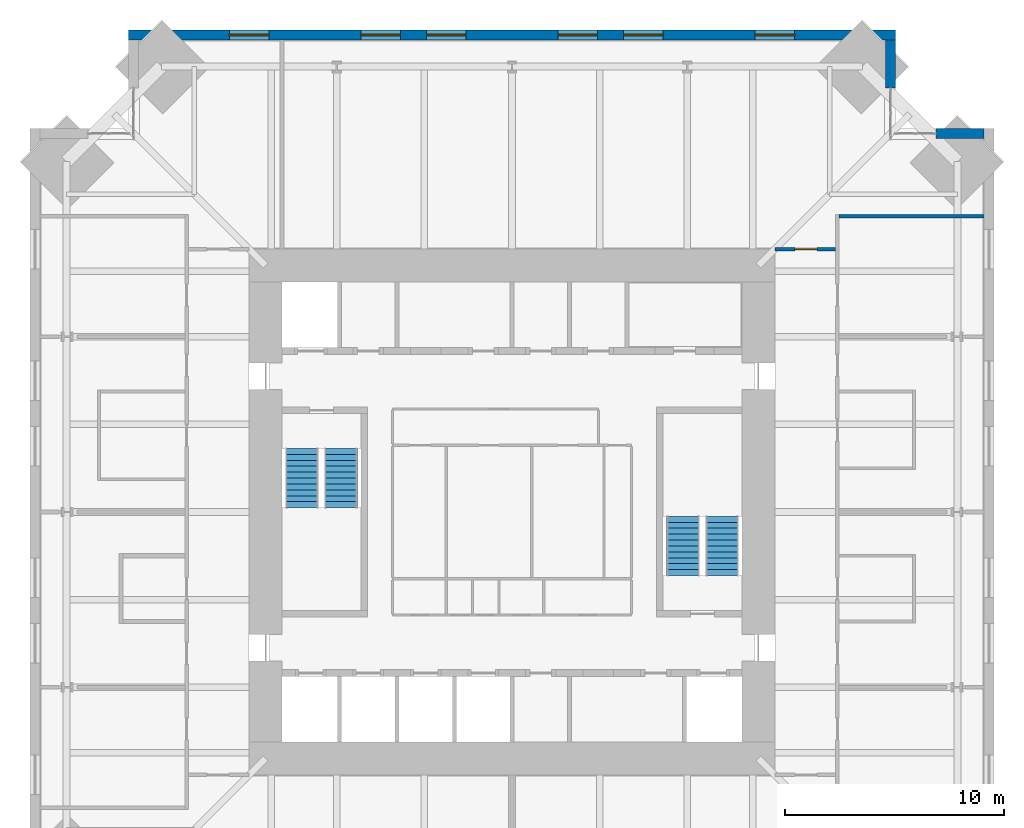
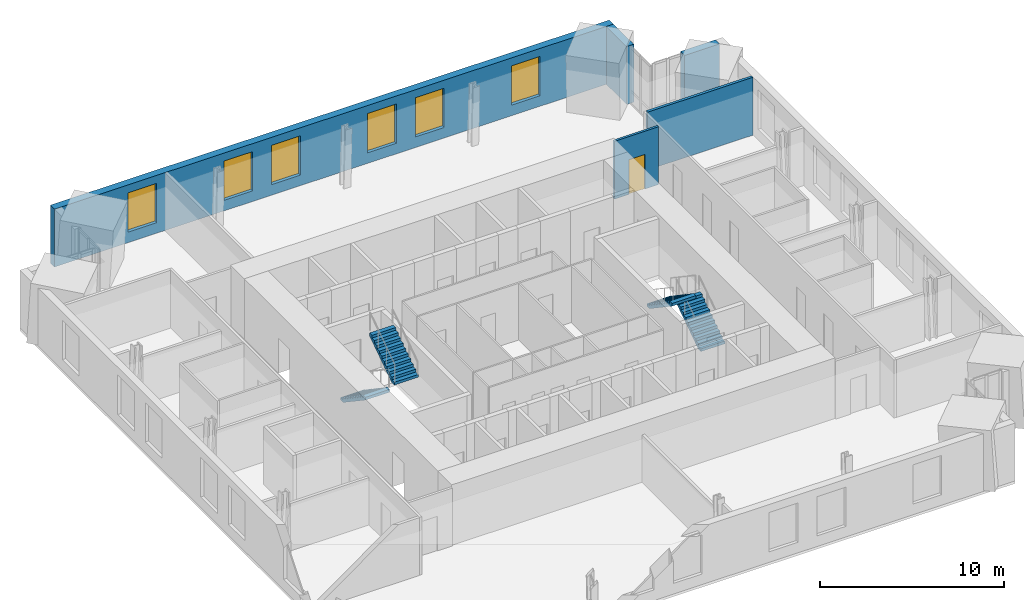
# One storey, part 15 of 16: 6 windows, 5 walls, 4 stair flights, 1 door, 7 openings, 2 elements without a shape of their own.
"""IFC4 building model written with IfcOpenShell, lengths in metres."""

from ifc_helpers import new_model, si_unit, direction, frame, frame_2d, origin, place, context, subcontext, project, spatial, polyline, rectangle, outline, extrude, material, layer, layer_set, type_object, element, fill, aggregate, save


model = new_model("IFC4")

# Units and contexts
model_context = context("Model", 3, precision=1e-05, world=origin(), true_north=direction((0.0, 1.0)))
body_context = subcontext(model_context, "Body", "Model", "MODEL_VIEW")
ifc_project = project(units=[si_unit("LENGTHUNIT", "METRE"), si_unit("AREAUNIT", "SQUARE_METRE"), si_unit("VOLUMEUNIT", "CUBIC_METRE"), si_unit("PLANEANGLEUNIT", "RADIAN"), si_unit("MASSUNIT", "GRAM", prefix="KILO")], contexts=[model_context])

# Site, building, storey
site_placement = place(None, origin())
site = spatial("IfcSite", under=ifc_project, at=site_placement, CompositionType="ELEMENT")
building_placement = place(site_placement, origin())
building = spatial("IfcBuilding", under=site, at=building_placement, Name="Peilmerk Tower", CompositionType="ELEMENT")
storey_placement = place(building_placement, frame((0.0, 0.0, 261.800048828125)))
storey = spatial("IfcBuildingStorey", under=building, at=storey_placement, Name="L58", CompositionType="ELEMENT", Elevation=261.800048828125)

# Wall, openings, windows
ifc_material_1 = material(Name="Precast concrete C45/55, board-marked finish", Category="concrete")
ifc_layer_1 = layer(ifc_material_1, 0.449951171875)
ifc_layer_set_1 = layer_set([ifc_layer_1], Name="Precast concrete C45/55, board-marked finish")
wall_type_1 = type_object("IfcWallType", Name="EW1 450 precast concrete facade wall, board-marked", PredefinedType="SOLIDWALL", material=ifc_layer_set_1)
wall_1_placement = place(storey_placement, frame((17.5, 21.77490234375, 0.0), z_axis=(0.0, 0.0, 1.0), x_axis=(-1.0, 0.0, 0.0)))
wall_1 = element("IfcWall", 1, at=wall_1_placement, inside=storey, type_object=wall_type_1, Name="Facade wall N L58", PredefinedType="SOLIDWALL", context=body_context, shape_type="SweptSolid", body=[
    extrude(rectangle(XDim=35.0, YDim=0.449951171875, at=frame_2d((17.5, 0.0))), origin(), (0.0, 0.0, 1.0), 3.829833984375),
])
opening_1_placement = place(wall_1_placement, frame((4.60009765625, 0.0, 0.699951171875)))
opening_1 = element("IfcOpeningElement", 2, at=opening_1_placement, cuts=wall_1, Name="Opening W1", PredefinedType="OPENING", context=body_context, shape_type="SweptSolid", body=[
    extrude(rectangle(XDim=1.800048828125, YDim=2.60009765625, at=frame_2d((0.89990234375, 1.300048828125))), frame((0.0, 0.23486328125, 0.0), z_axis=(0.0, -1.0, 0.0), x_axis=(1.0, 0.0, 0.0)), (0.0, 0.0, 1.0), 0.469970703125),
])
opening_2_placement = place(wall_1_placement, frame((10.60009765625, 0.0, 0.699951171875)))
opening_2 = element("IfcOpeningElement", 3, at=opening_2_placement, cuts=wall_1, Name="Opening W1", PredefinedType="OPENING", context=body_context, shape_type="SweptSolid", body=[
    extrude(rectangle(XDim=1.800048828125, YDim=2.60009765625, at=frame_2d((0.89990234375, 1.300048828125))), frame((0.0, 0.23486328125, 0.0), z_axis=(0.0, -1.0, 0.0), x_axis=(1.0, 0.0, 0.0)), (0.0, 0.0, 1.0), 0.469970703125),
])
opening_3_placement = place(wall_1_placement, frame((13.60009765625, 0.0, 0.699951171875)))
opening_3 = element("IfcOpeningElement", 4, at=opening_3_placement, cuts=wall_1, Name="Opening W1", PredefinedType="OPENING", context=body_context, shape_type="SweptSolid", body=[
    extrude(rectangle(XDim=1.800048828125, YDim=2.60009765625, at=frame_2d((0.89990234375, 1.300048828125))), frame((0.0, 0.23486328125, 0.0), z_axis=(0.0, -1.0, 0.0), x_axis=(1.0, 0.0, 0.0)), (0.0, 0.0, 1.0), 0.469970703125),
])
opening_4_placement = place(wall_1_placement, frame((19.60009765625, 0.0, 0.699951171875)))
opening_4 = element("IfcOpeningElement", 5, at=opening_4_placement, cuts=wall_1, Name="Opening W1", PredefinedType="OPENING", context=body_context, shape_type="SweptSolid", body=[
    extrude(rectangle(XDim=1.800048828125, YDim=2.60009765625, at=frame_2d((0.89990234375, 1.300048828125))), frame((0.0, 0.23486328125, 0.0), z_axis=(0.0, -1.0, 0.0), x_axis=(1.0, 0.0, 0.0)), (0.0, 0.0, 1.0), 0.469970703125),
])
opening_5_placement = place(wall_1_placement, frame((22.60009765625, 0.0, 0.699951171875)))
opening_5 = element("IfcOpeningElement", 6, at=opening_5_placement, cuts=wall_1, Name="Opening W1", PredefinedType="OPENING", context=body_context, shape_type="SweptSolid", body=[
    extrude(rectangle(XDim=1.800048828125, YDim=2.60009765625, at=frame_2d((0.89990234375, 1.300048828125))), frame((0.0, 0.23486328125, 0.0), z_axis=(0.0, -1.0, 0.0), x_axis=(1.0, 0.0, 0.0)), (0.0, 0.0, 1.0), 0.469970703125),
])
opening_6_placement = place(wall_1_placement, frame((28.60009765625, 0.0, 0.699951171875)))
opening_6 = element("IfcOpeningElement", 7, at=opening_6_placement, cuts=wall_1, Name="Opening W1", PredefinedType="OPENING", context=body_context, shape_type="SweptSolid", body=[
    extrude(rectangle(XDim=1.800048828125, YDim=2.60009765625, at=frame_2d((0.89990234375, 1.300048828125))), frame((0.0, 0.23486328125, 0.0), z_axis=(0.0, -1.0, 0.0), x_axis=(1.0, 0.0, 0.0)), (0.0, 0.0, 1.0), 0.469970703125),
])
ifc_material_2 = material(Name="Aluminium frame, clear double glazing", Category="aluminium")
window_type = type_object("IfcWindowType", Name="W1 1800x2600 office window", PartitioningType="SINGLE_PANEL", PredefinedType="WINDOW", material=ifc_material_2)
window_1_placement = place(opening_1_placement, origin())
window_1 = element("IfcWindow", 8, at=window_1_placement, inside=storey, type_object=window_type, Name="Window W1 L58", OverallHeight=2.60009765625, OverallWidth=1.800048828125, PartitioningType="SINGLE_PANEL", PredefinedType="WINDOW", context=body_context, shape_type="SweptSolid", body=[
    extrude(rectangle(XDim=1.800048828125, YDim=2.60009765625, at=frame_2d((0.89990234375, 1.300048828125))), frame((0.0, 0.030029296875, 0.0), z_axis=(0.0, -1.0, 0.0), x_axis=(1.0, 0.0, 0.0)), (0.0, 0.0, 1.0), 0.06005859375),
])
fill(opening_1, window_1)
window_2_placement = place(opening_2_placement, origin())
window_2 = element("IfcWindow", 9, at=window_2_placement, inside=storey, type_object=window_type, Name="Window W1 L58", OverallHeight=2.60009765625, OverallWidth=1.800048828125, PartitioningType="SINGLE_PANEL", PredefinedType="WINDOW", context=body_context, shape_type="SweptSolid", body=[
    extrude(rectangle(XDim=1.800048828125, YDim=2.60009765625, at=frame_2d((0.89990234375, 1.300048828125))), frame((0.0, 0.030029296875, 0.0), z_axis=(0.0, -1.0, 0.0), x_axis=(1.0, 0.0, 0.0)), (0.0, 0.0, 1.0), 0.06005859375),
])
fill(opening_2, window_2)
window_3_placement = place(opening_3_placement, origin())
window_3 = element("IfcWindow", 10, at=window_3_placement, inside=storey, type_object=window_type, Name="Window W1 L58", OverallHeight=2.60009765625, OverallWidth=1.800048828125, PartitioningType="SINGLE_PANEL", PredefinedType="WINDOW", context=body_context, shape_type="SweptSolid", body=[
    extrude(rectangle(XDim=1.800048828125, YDim=2.60009765625, at=frame_2d((0.89990234375, 1.300048828125))), frame((0.0, 0.030029296875, 0.0), z_axis=(0.0, -1.0, 0.0), x_axis=(1.0, 0.0, 0.0)), (0.0, 0.0, 1.0), 0.06005859375),
])
fill(opening_3, window_3)
window_4_placement = place(opening_4_placement, origin())
window_4 = element("IfcWindow", 11, at=window_4_placement, inside=storey, type_object=window_type, Name="Window W1 L58", OverallHeight=2.60009765625, OverallWidth=1.800048828125, PartitioningType="SINGLE_PANEL", PredefinedType="WINDOW", context=body_context, shape_type="SweptSolid", body=[
    extrude(rectangle(XDim=1.800048828125, YDim=2.60009765625, at=frame_2d((0.89990234375, 1.300048828125))), frame((0.0, 0.030029296875, 0.0), z_axis=(0.0, -1.0, 0.0), x_axis=(1.0, 0.0, 0.0)), (0.0, 0.0, 1.0), 0.06005859375),
])
fill(opening_4, window_4)
window_5_placement = place(opening_5_placement, origin())
window_5 = element("IfcWindow", 12, at=window_5_placement, inside=storey, type_object=window_type, Name="Window W1 L58", OverallHeight=2.60009765625, OverallWidth=1.800048828125, PartitioningType="SINGLE_PANEL", PredefinedType="WINDOW", context=body_context, shape_type="SweptSolid", body=[
    extrude(rectangle(XDim=1.800048828125, YDim=2.60009765625, at=frame_2d((0.89990234375, 1.300048828125))), frame((0.0, 0.030029296875, 0.0), z_axis=(0.0, -1.0, 0.0), x_axis=(1.0, 0.0, 0.0)), (0.0, 0.0, 1.0), 0.06005859375),
])
fill(opening_5, window_5)
window_6_placement = place(opening_6_placement, origin())
window_6 = element("IfcWindow", 13, at=window_6_placement, inside=storey, type_object=window_type, Name="Window W1 L58", OverallHeight=2.60009765625, OverallWidth=1.800048828125, PartitioningType="SINGLE_PANEL", PredefinedType="WINDOW", context=body_context, shape_type="SweptSolid", body=[
    extrude(rectangle(XDim=1.800048828125, YDim=2.60009765625, at=frame_2d((0.89990234375, 1.300048828125))), frame((0.0, 0.030029296875, 0.0), z_axis=(0.0, -1.0, 0.0), x_axis=(1.0, 0.0, 0.0)), (0.0, 0.0, 1.0), 0.06005859375),
])
fill(opening_6, window_6)

# Walls
for number, where, z_axis, x_axis, name in (
    (14, (17.27490234375, 19.353759765625, 0.0), (0.0, 0.0, 1.0), (0.0, 1.0, 0.0), "Facade wall NEA L58"),
    (15, (19.353759765625, 17.27490234375, 0.0), (0.0, 0.0, 1.0), (1.0, 0.0, 0.0), "Facade wall NEB L58"),
):
    element("IfcWall", number, at=place(storey_placement, frame(where, z_axis=z_axis, x_axis=x_axis)), inside=storey, type_object=wall_type_1, Name=name, PredefinedType="SOLIDWALL", context=body_context, shape_type="SweptSolid", body=[
        extrude(rectangle(XDim=2.1962890625, YDim=0.449951171875, at=frame_2d((1.09814453125, 0.0))), origin(), (0.0, 0.0, 1.0), 3.829833984375),
    ])

# Wall, opening, door
ifc_material_3 = material(Name="Calcium silicate block", Category="masonry")
ifc_layer_2 = layer(ifc_material_3, 0.14990234375)
ifc_layer_set_2 = layer_set([ifc_layer_2], Name="Calcium silicate block")
wall_type_2 = type_object("IfcWallType", Name="IW1 150 corridor partition, EI 60", PredefinedType="PARTITIONING", material=ifc_layer_set_2)
wall_2_placement = place(storey_placement, frame((12.0, 12.0, 0.0), z_axis=(0.0, 0.0, 1.0), x_axis=(1.0, 0.0, 0.0)))
wall_2 = element("IfcWall", 16, at=wall_2_placement, inside=storey, type_object=wall_type_2, Name="Corridor wall NE L58", PredefinedType="PARTITIONING", context=body_context, shape_type="SweptSolid", body=[
    extrude(rectangle(XDim=2.77490234375, YDim=0.14990234375, at=frame_2d((1.387451171875, 0.0))), origin(), (0.0, 0.0, 1.0), 3.829833984375),
])
opening_7_placement = place(wall_2_placement, frame((0.925048828125, 0.0, 0.0)))
opening_7 = element("IfcOpeningElement", 17, at=opening_7_placement, cuts=wall_2, Name="Opening D1", PredefinedType="OPENING", context=body_context, shape_type="SweptSolid", body=[
    extrude(rectangle(XDim=1.0, YDim=2.300048828125, at=frame_2d((0.5, 1.14990234375))), frame((0.0, 0.0849609375, 0.0), z_axis=(0.0, -1.0, 0.0), x_axis=(1.0, 0.0, 0.0)), (0.0, 0.0, 1.0), 0.169921875),
])
ifc_material_4 = material(Name="Timber door in steel frame", Category="steel")
door_type = type_object("IfcDoorType", Name="D1 1000x2300 room door, EI2 30", OperationType="SINGLE_SWING_LEFT", PredefinedType="DOOR", material=ifc_material_4)
door_placement = place(opening_7_placement, origin())
door = element("IfcDoor", 18, at=door_placement, inside=storey, type_object=door_type, Name="Door Office L58", OperationType="SINGLE_SWING_LEFT", OverallHeight=2.300048828125, OverallWidth=1.0, PredefinedType="DOOR", context=body_context, shape_type="SweptSolid", body=[
    extrude(rectangle(XDim=1.0, YDim=2.300048828125, at=frame_2d((0.5, 1.14990234375))), frame((0.0, 0.02490234375, 0.0), z_axis=(0.0, -1.0, 0.0), x_axis=(1.0, 0.0, 0.0)), (0.0, 0.0, 1.0), 0.050048828125),
])
fill(opening_7, door)

# Wall
ifc_layer_3 = layer(ifc_material_3, 0.175048828125)
ifc_layer_set_3 = layer_set([ifc_layer_3], Name="Calcium silicate block")
wall_type_3 = type_object("IfcWallType", Name="IW8 175 tenant separating wall, EI 60", PredefinedType="PARTITIONING", material=ifc_layer_set_3)
wall_3_placement = place(storey_placement, frame((14.925048828125, 13.5, 0.0), z_axis=(0.0, 0.0, 1.0), x_axis=(1.0, 0.0, 0.0)))
element("IfcWall", 19, at=wall_3_placement, inside=storey, type_object=wall_type_3, Name="Tenant separating wall NE L58", PredefinedType="PARTITIONING", context=body_context, shape_type="SweptSolid", body=[
    extrude(rectangle(XDim=6.625, YDim=0.175048828125, at=frame_2d((3.3125, 0.0))), origin(), (0.0, 0.0, 1.0), 3.829833984375),
])

# Stair, stair flights
ifc_material_5 = material(Name="Precast concrete C45/55", Category="concrete")
stair_type_1 = type_object("IfcStairType", Name="ST1 22 risers of 181.8", PredefinedType="HALF_TURN_STAIR", material=ifc_material_5)
stair_1_placement = place(storey_placement, origin())
stair_1 = element("IfcStair", 20, at=stair_1_placement, inside=storey, type_object=stair_type_1, Name="Stair 1 L58 to L59", PredefinedType="HALF_TURN_STAIR")
stair_flight_type = type_object("IfcStairFlightType", Name="SF11 flight, 11 risers of 181.8", PredefinedType="STRAIGHT", material=ifc_material_5)
stair_flight_1_placement = place(storey_placement, frame((-9.60009765625, 2.89990234375, 0.0), z_axis=(0.0, 0.0, 1.0), x_axis=(0.0, -1.0, 0.0)))
stair_flight_1 = element("IfcStairFlight", 21, at=stair_flight_1_placement, type_object=stair_flight_type, Name="ST1 flight 1", NumberOfRisers=11, NumberOfTreads=10, PredefinedType="STRAIGHT", RiserHeight=0.181818182, TreadLength=0.27, context=body_context, shape_type="SweptSolid", body=[
    extrude(outline(polyline([(0.0, 0.0), (0.0, 0.181884765625), (0.27001953125, 0.181884765625), (0.27001953125, 0.363525390625), (0.5400390625, 0.363525390625), (0.5400390625, 0.54541015625), (0.81005859375, 0.54541015625), (0.81005859375, 0.727294921875), (1.080078125, 0.727294921875), (1.080078125, 0.9091796875), (1.35009765625, 0.9091796875), (1.35009765625, 1.0908203125), (1.6201171875, 1.0908203125), (1.6201171875, 1.272705078125), (1.889892578125, 1.272705078125), (1.889892578125, 1.45458984375), (2.159912109375, 1.45458984375), (2.159912109375, 1.636474609375), (2.429931640625, 1.636474609375), (2.429931640625, 1.818115234375), (2.699951171875, 1.818115234375), (2.699951171875, 2.0), (2.699951171875, 1.637451171875), (0.268310546875, 0.0), (0.0, 0.0)])), frame((0.0, 0.75, 0.0), z_axis=(0.0, -1.0, 0.0), x_axis=(1.0, 0.0, 0.0)), (0.0, 0.0, 1.0), 1.5),
])
stair_flight_2_placement = place(storey_placement, frame((-7.800048828125, 0.199951171875, 2.0), z_axis=(0.0, 0.0, 1.0), x_axis=(0.0, 1.0, 0.0)))
stair_flight_2 = element("IfcStairFlight", 22, at=stair_flight_2_placement, type_object=stair_flight_type, Name="ST1 flight 2", NumberOfRisers=11, NumberOfTreads=10, PredefinedType="STRAIGHT", RiserHeight=0.181818182, TreadLength=0.27, context=body_context, shape_type="SweptSolid", body=[
    extrude(outline(polyline([(0.0, 0.0), (0.0, 0.181884765625), (0.27001953125, 0.181884765625), (0.27001953125, 0.363525390625), (0.5400390625, 0.363525390625), (0.5400390625, 0.54541015625), (0.81005859375, 0.54541015625), (0.81005859375, 0.727294921875), (1.080078125, 0.727294921875), (1.080078125, 0.9091796875), (1.35009765625, 0.9091796875), (1.35009765625, 1.0908203125), (1.6201171875, 1.0908203125), (1.6201171875, 1.272705078125), (1.889892578125, 1.272705078125), (1.889892578125, 1.45458984375), (2.159912109375, 1.45458984375), (2.159912109375, 1.636474609375), (2.429931640625, 1.636474609375), (2.429931640625, 1.818115234375), (2.699951171875, 1.818115234375), (2.699951171875, 2.0), (2.699951171875, 1.637451171875), (0.268310546875, 0.0), (0.0, 0.0)])), frame((0.0, 0.75, 0.0), z_axis=(0.0, -1.0, 0.0), x_axis=(1.0, 0.0, 0.0)), (0.0, 0.0, 1.0), 1.5),
])
aggregate(stair_1, [stair_flight_1, stair_flight_2])

stair_type_2 = type_object("IfcStairType", Name="ST2 22 risers of 181.8", PredefinedType="HALF_TURN_STAIR", material=ifc_material_5)
stair_2_placement = place(storey_placement, origin())
stair_2 = element("IfcStair", 23, at=stair_2_placement, inside=storey, type_object=stair_type_2, Name="Stair 2 L58 to L59", PredefinedType="HALF_TURN_STAIR")
stair_flight_3_placement = place(storey_placement, frame((9.60009765625, -2.89990234375, 0.0), z_axis=(0.0, 0.0, 1.0), x_axis=(0.0, 1.0, 0.0)))
stair_flight_3 = element("IfcStairFlight", 24, at=stair_flight_3_placement, type_object=stair_flight_type, Name="ST2 flight 1", NumberOfRisers=11, NumberOfTreads=10, PredefinedType="STRAIGHT", RiserHeight=0.181818182, TreadLength=0.27, context=body_context, shape_type="SweptSolid", body=[
    extrude(outline(polyline([(0.0, 0.0), (0.0, 0.181884765625), (0.27001953125, 0.181884765625), (0.27001953125, 0.363525390625), (0.5400390625, 0.363525390625), (0.5400390625, 0.54541015625), (0.81005859375, 0.54541015625), (0.81005859375, 0.727294921875), (1.080078125, 0.727294921875), (1.080078125, 0.9091796875), (1.35009765625, 0.9091796875), (1.35009765625, 1.0908203125), (1.6201171875, 1.0908203125), (1.6201171875, 1.272705078125), (1.889892578125, 1.272705078125), (1.889892578125, 1.45458984375), (2.159912109375, 1.45458984375), (2.159912109375, 1.636474609375), (2.429931640625, 1.636474609375), (2.429931640625, 1.818115234375), (2.699951171875, 1.818115234375), (2.699951171875, 2.0), (2.699951171875, 1.637451171875), (0.268310546875, 0.0), (0.0, 0.0)])), frame((0.0, 0.75, 0.0), z_axis=(0.0, -1.0, 0.0), x_axis=(1.0, 0.0, 0.0)), (0.0, 0.0, 1.0), 1.5),
])
stair_flight_4_placement = place(storey_placement, frame((7.800048828125, -0.199951171875, 2.0), z_axis=(0.0, 0.0, 1.0), x_axis=(0.0, -1.0, 0.0)))
stair_flight_4 = element("IfcStairFlight", 25, at=stair_flight_4_placement, type_object=stair_flight_type, Name="ST2 flight 2", NumberOfRisers=11, NumberOfTreads=10, PredefinedType="STRAIGHT", RiserHeight=0.181818182, TreadLength=0.27, context=body_context, shape_type="SweptSolid", body=[
    extrude(outline(polyline([(0.0, 0.0), (0.0, 0.181884765625), (0.27001953125, 0.181884765625), (0.27001953125, 0.363525390625), (0.5400390625, 0.363525390625), (0.5400390625, 0.54541015625), (0.81005859375, 0.54541015625), (0.81005859375, 0.727294921875), (1.080078125, 0.727294921875), (1.080078125, 0.9091796875), (1.35009765625, 0.9091796875), (1.35009765625, 1.0908203125), (1.6201171875, 1.0908203125), (1.6201171875, 1.272705078125), (1.889892578125, 1.272705078125), (1.889892578125, 1.45458984375), (2.159912109375, 1.45458984375), (2.159912109375, 1.636474609375), (2.429931640625, 1.636474609375), (2.429931640625, 1.818115234375), (2.699951171875, 1.818115234375), (2.699951171875, 2.0), (2.699951171875, 1.637451171875), (0.268310546875, 0.0), (0.0, 0.0)])), frame((0.0, 0.75, 0.0), z_axis=(0.0, -1.0, 0.0), x_axis=(1.0, 0.0, 0.0)), (0.0, 0.0, 1.0), 1.5),
])
aggregate(stair_2, [stair_flight_3, stair_flight_4])

save(model, "model.ifc")
